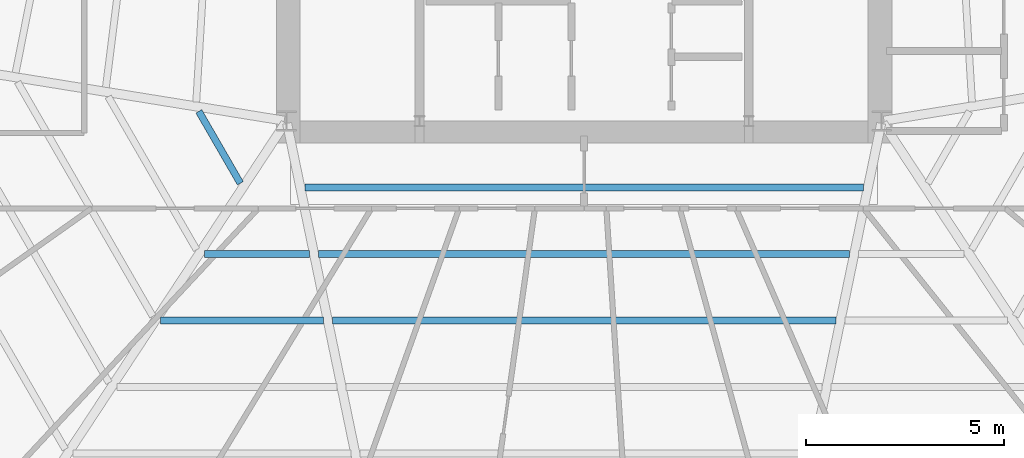
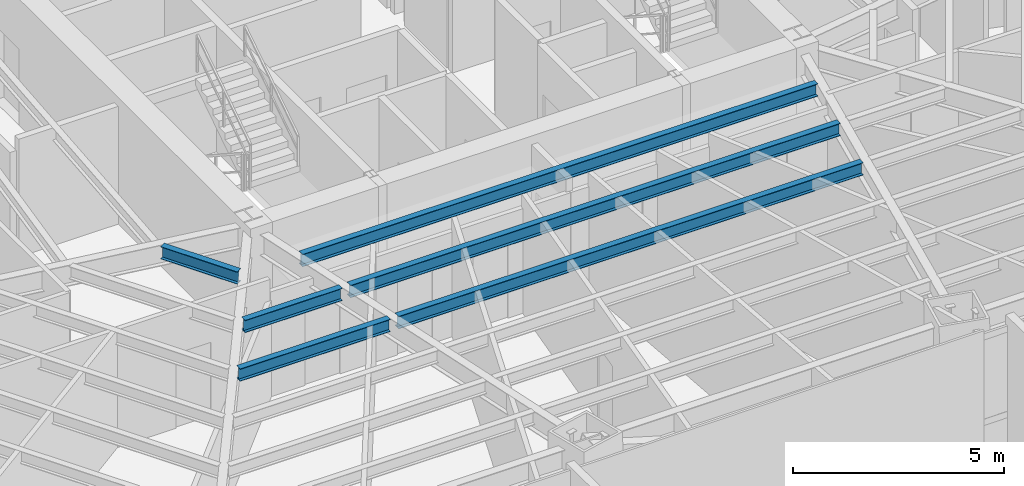
# One storey, part 10 of 38: 6 beams.
"""IFC4 building model written with IfcOpenShell, lengths in metres."""

from ifc_helpers import new_model, si_unit, direction, frame, origin, origin_2d, place, context, subcontext, project, spatial, i_section, extrude, source, transform, mapped, material, material_profile, profile_set, type_object, type_shapes, element, save


model = new_model("IFC4")

# Units and contexts
model_context = context("Model", 3, precision=1e-05, world=origin(), true_north=direction((0.0, 1.0)))
body_context = subcontext(model_context, "Body", "Model", "MODEL_VIEW")
ifc_project = project(units=[si_unit("LENGTHUNIT", "METRE"), si_unit("AREAUNIT", "SQUARE_METRE"), si_unit("VOLUMEUNIT", "CUBIC_METRE"), si_unit("PLANEANGLEUNIT", "RADIAN"), si_unit("MASSUNIT", "GRAM", prefix="KILO")], contexts=[model_context])

# Site, building, storey
site_placement = place(None, origin())
site = spatial("IfcSite", under=ifc_project, at=site_placement, CompositionType="ELEMENT")
building_placement = place(site_placement, origin())
building = spatial("IfcBuilding", under=site, at=building_placement, Name="Caelisora Broadcast Tower", CompositionType="ELEMENT")
storey_placement = place(building_placement, frame((0.0, 0.0, 67.75)))
storey = spatial("IfcBuildingStorey", under=building, at=storey_placement, Name="L17", CompositionType="ELEMENT", Elevation=67.75)

# Beams
ifc_material = material(Name="Steel Grade 350 (AS/NZS 3679.1)", Category="steel")
ifc_material_profile = material_profile(ifc_material, i_section(OverallWidth=0.172119140625, OverallDepth=0.358642578125, WebThickness=0.008056640625, FlangeThickness=0.012939453125, at=origin_2d()), Name="Steel Grade 350 (AS/NZS 3679.1)")
ifc_profile_set = profile_set([ifc_material_profile], Name="Steel Grade 350 (AS/NZS 3679.1)")
beam_type = type_object("IfcBeamType", Name="SB02", PredefinedType="JOIST", material=ifc_profile_set)
shared_shape_1 = source(origin(), body_context, "Body", "SweptSolid", [
    extrude(i_section(OverallWidth=0.172119140625, OverallDepth=0.358642578125, WebThickness=0.008056640625, FlangeThickness=0.012939453125, at=origin_2d()), origin(), (0.0, 0.0, 1.0), 2.093017578125),
])
beam_1_placement = place(storey_placement, frame((28.2880859375, 17.644287109375, 3.220703125), z_axis=(0.500065752615, -0.865987438166, 0.0), x_axis=(0.865987438166, 0.500065752615, 0.0)))
element("IfcBeam", 1, at=beam_1_placement, inside=storey, type_object=beam_type, Name="L17 beam SB02", PredefinedType="JOIST", context=body_context, shape_type="MappedRepresentation", body=[
    mapped(shared_shape_1, transform((0.0, 0.0, 0.0), scale=1.0)),
])
shared_shape_2 = source(origin(), body_context, "Body", "SweptSolid", [
    extrude(i_section(OverallWidth=0.172119140625, OverallDepth=0.358642578125, WebThickness=0.008056640625, FlangeThickness=0.012939453125, at=origin_2d()), origin(), (0.0, 0.0, 1.0), 2.652587890625),
])
beam_2_placement = place(storey_placement, frame((28.427001953125, 14.0478515625, 3.220703125), z_axis=(1.0, 0.0, 0.0), x_axis=(0.0, 1.0, 0.0)))
element("IfcBeam", 2, at=beam_2_placement, inside=storey, type_object=beam_type, Name="L17 beam SB02", PredefinedType="JOIST", context=body_context, shape_type="MappedRepresentation", body=[
    mapped(shared_shape_2, transform((0.0, 0.0, 0.0), scale=1.0)),
])
shared_shape_3 = source(origin(), body_context, "Body", "SweptSolid", [
    extrude(i_section(OverallWidth=0.172119140625, OverallDepth=0.358642578125, WebThickness=0.008056640625, FlangeThickness=0.012939453125, at=origin_2d()), origin(), (0.0, 0.0, 1.0), 4.102294921875),
])
beam_3_placement = place(storey_placement, frame((27.323974609375, 12.371826171875, 3.220703125), z_axis=(1.0, 0.0, 0.0), x_axis=(0.0, 1.0, 0.0)))
element("IfcBeam", 3, at=beam_3_placement, inside=storey, type_object=beam_type, Name="L17 beam SB02", PredefinedType="JOIST", context=body_context, shape_type="MappedRepresentation", body=[
    mapped(shared_shape_3, transform((0.0, 0.0, 0.0), scale=1.0)),
])
shared_shape_4 = source(origin(), body_context, "Body", "SweptSolid", [
    extrude(i_section(OverallWidth=0.172119140625, OverallDepth=0.358642578125, WebThickness=0.008056640625, FlangeThickness=0.012939453125, at=origin_2d()), origin(), (0.0, 0.0, 1.0), 14.080078125),
])
beam_4_placement = place(storey_placement, frame((30.9599609375, 15.723876953125, 3.220703125), z_axis=(1.0, 0.0, 0.0), x_axis=(0.0, 1.0, 0.0)))
element("IfcBeam", 4, at=beam_4_placement, inside=storey, type_object=beam_type, Name="L17 beam SB02", PredefinedType="JOIST", context=body_context, shape_type="MappedRepresentation", body=[
    mapped(shared_shape_4, transform((0.0, 0.0, 0.0), scale=1.0)),
])
shared_shape_5 = source(origin(), body_context, "Body", "SweptSolid", [
    extrude(i_section(OverallWidth=0.172119140625, OverallDepth=0.358642578125, WebThickness=0.008056640625, FlangeThickness=0.012939453125, at=origin_2d()), origin(), (0.0, 0.0, 1.0), 13.38720703125),
])
beam_5_placement = place(storey_placement, frame((31.306396484375, 14.0478515625, 3.220703125), z_axis=(1.0, 0.0, 0.0), x_axis=(0.0, 1.0, 0.0)))
element("IfcBeam", 5, at=beam_5_placement, inside=storey, type_object=beam_type, Name="L17 beam SB02", PredefinedType="JOIST", context=body_context, shape_type="MappedRepresentation", body=[
    mapped(shared_shape_5, transform((0.0, 0.0, 0.0), scale=1.0)),
])
shared_shape_6 = source(origin(), body_context, "Body", "SweptSolid", [
    extrude(i_section(OverallWidth=0.172119140625, OverallDepth=0.358642578125, WebThickness=0.008056640625, FlangeThickness=0.012939453125, at=origin_2d()), origin(), (0.0, 0.0, 1.0), 12.69384765625),
])
type_shapes(beam_type, [shared_shape_1, shared_shape_2, shared_shape_3, shared_shape_4, shared_shape_5, shared_shape_6])
beam_6_placement = place(storey_placement, frame((31.653076171875, 12.371826171875, 3.220703125), z_axis=(1.0, 0.0, 0.0), x_axis=(0.0, 1.0, 0.0)))
element("IfcBeam", 6, at=beam_6_placement, inside=storey, type_object=beam_type, Name="L17 beam SB02", PredefinedType="JOIST", context=body_context, shape_type="MappedRepresentation", body=[
    mapped(shared_shape_6, transform((0.0, 0.0, 0.0), scale=1.0)),
])

save(model, "model.ifc")
